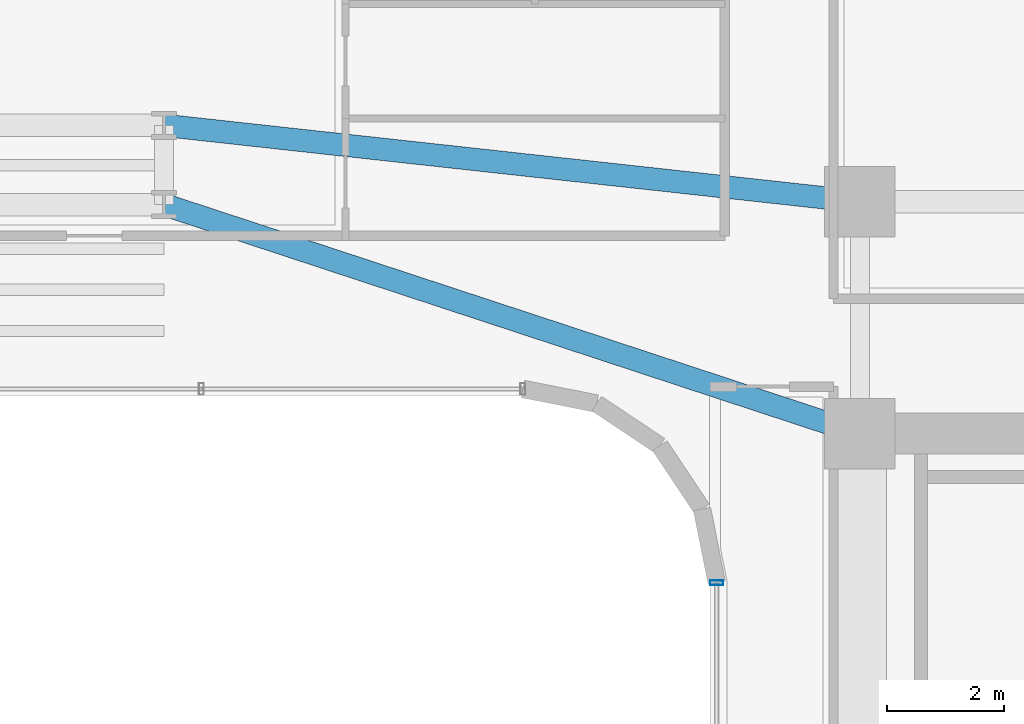
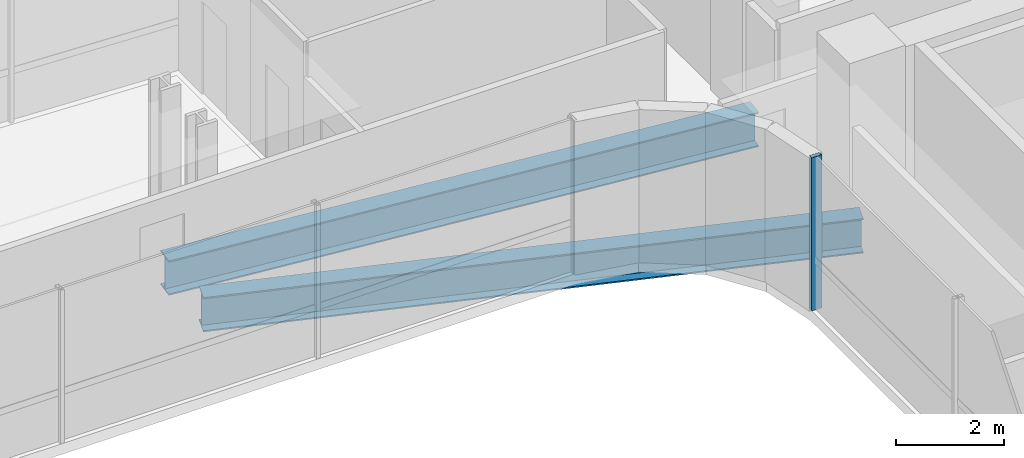
# One storey, part 15 of 36: 2 beams, 1 member, 1 element without a shape of its own.
"""IFC4 building model written with IfcOpenShell, lengths in metres."""

from ifc_helpers import new_model, si_unit, direction, frame, origin, origin_2d, place, context, subcontext, project, spatial, hollow_rectangle, i_section, extrude, source, transform, mapped, material, material_profile, profile_set, type_object, element, aggregate, save


model = new_model("IFC4")

# Units and contexts
model_context = context("Model", 3, precision=1e-05, world=origin(), true_north=direction((0.0, 1.0)))
body_context = subcontext(model_context, "Body", "Model", "MODEL_VIEW")
ifc_project = project(units=[si_unit("LENGTHUNIT", "METRE"), si_unit("AREAUNIT", "SQUARE_METRE"), si_unit("VOLUMEUNIT", "CUBIC_METRE"), si_unit("PLANEANGLEUNIT", "RADIAN"), si_unit("MASSUNIT", "GRAM", prefix="KILO")], contexts=[model_context])

# Site, building, storey
site_placement = place(None, origin())
site = spatial("IfcSite", under=ifc_project, at=site_placement, CompositionType="ELEMENT")
building_placement = place(site_placement, origin())
building = spatial("IfcBuilding", under=site, at=building_placement, Name="Valdorenza Pilgrim Sanctuary Tower", CompositionType="ELEMENT")
storey_placement = place(building_placement, frame((0.0, 0.0, 109.39990234375)))
storey = spatial("IfcBuildingStorey", under=building, at=storey_placement, Name="L27", CompositionType="ELEMENT", Elevation=109.39990234375)

# Beams
ifc_material_1 = material(Name="Steel ASTM A992 Grade 50", Category="steel")
ifc_material_profile_1 = material_profile(ifc_material_1, i_section(OverallWidth=0.382080078125, OverallDepth=0.779052734375, WebThickness=0.01806640625, FlangeThickness=0.030029296875, at=origin_2d()), Name="W30X191")
ifc_profile_set_1 = profile_set([ifc_material_profile_1], Name="Steel ASTM A992 Grade 50")
beam_type = type_object("IfcBeamType", Name="STR-BM-GRD-W30", PredefinedType="BEAM", material=ifc_profile_set_1)
shared_shape_1 = source(origin(), body_context, "Body", "SweptSolid", [
    extrude(i_section(OverallWidth=0.382080078125, OverallDepth=0.779052734375, WebThickness=0.01806640625, FlangeThickness=0.030029296875, at=origin_2d()), origin(), (0.0, 0.0, 1.0), 12.475341796875),
])
beam_1_placement = place(storey_placement, frame((4.0, 13.449951171875, -0.62939453125), z_axis=(0.949881908141, -0.312608957943, 0.0), x_axis=(0.312608957943, 0.949881908141, 0.0)))
element("IfcBeam", 1, at=beam_1_placement, inside=storey, type_object=beam_type, Name="L27 Floor Girder KNK-G3", PredefinedType="BEAM", context=body_context, shape_type="MappedRepresentation", body=[
    mapped(shared_shape_1, transform((0.0, 0.0, 0.0), x_axis=(1.0, 0.0, 0.0), y_axis=(0.0, 1.0, 0.0), z_axis=(0.0, 0.0, 1.0), scale=1.0)),
])
shared_shape_2 = source(origin(), body_context, "Body", "SweptSolid", [
    extrude(i_section(OverallWidth=0.382080078125, OverallDepth=0.779052734375, WebThickness=0.01806640625, FlangeThickness=0.030029296875, at=origin_2d()), origin(), (0.0, 0.0, 1.0), 11.921142578125),
])
beam_2_placement = place(storey_placement, frame((4.0, 14.800048828125, -0.62939453125), z_axis=(0.994035876607, -0.10905354656, 0.0), x_axis=(0.10905354656, 0.994035876607, 0.0)))
element("IfcBeam", 2, at=beam_2_placement, inside=storey, type_object=beam_type, Name="L27 Floor Girder KNK-G6", PredefinedType="BEAM", context=body_context, shape_type="MappedRepresentation", body=[
    mapped(shared_shape_2, transform((0.0, 0.0, 0.0), x_axis=(1.0, 0.0, 0.0), y_axis=(0.0, 1.0, 0.0), z_axis=(0.0, 0.0, 1.0), scale=1.0)),
])

# Curtain wall, member
ifc_material_2 = material(Name="Curtain-wall IGU glazing", Category="glass")
curtain_wall_type = type_object("IfcCurtainWallType", Name="CW-SYS-03", PredefinedType="NOTDEFINED", material=ifc_material_2)
curtain_wall_placement = place(storey_placement, origin())
curtain_wall = element("IfcCurtainWall", 3, at=curtain_wall_placement, inside=storey, type_object=curtain_wall_type, Name="L27 Curtain Wall CW-L27-1-31", PredefinedType="NOTDEFINED")
ifc_material_3 = material(Name="Anodised aluminium AW-6060", Category="aluminium")
ifc_material_profile_2 = material_profile(ifc_material_3, hollow_rectangle(XDim=0.0849609375, YDim=0.219970703125, WallThickness=0.0048828125, at=origin_2d()), Name="ALU-M 220x85x5")
ifc_profile_set_2 = profile_set([ifc_material_profile_2], Name="Anodised aluminium AW-6060")
member_type = type_object("IfcMemberType", Name="CW-MUL-03", PredefinedType="MULLION", material=ifc_profile_set_2)
shared_shape_3 = source(origin(), body_context, "Body", "SweptSolid", [
    extrude(hollow_rectangle(XDim=0.0849609375, YDim=0.219970703125, WallThickness=0.0048828125, at=origin_2d()), origin(), (0.0, 0.0, 1.0), 3.460205078125),
])
member_placement = place(storey_placement, frame((13.409912109375, 7.0107421875, 0.0), z_axis=(0.0, 0.0, 1.0), x_axis=(0.0, 1.0, 0.0)))
member = element("IfcMember", 4, at=member_placement, type_object=member_type, Name="CW-L27-1-31 Mullion 4", PredefinedType="MULLION", context=body_context, shape_type="MappedRepresentation", body=[
    mapped(shared_shape_3, transform((0.0, 0.0, 0.0), x_axis=(1.0, 0.0, 0.0), y_axis=(0.0, 1.0, 0.0), z_axis=(0.0, 0.0, 1.0), scale=1.0)),
])
aggregate(curtain_wall, [member])

save(model, "model.ifc")
